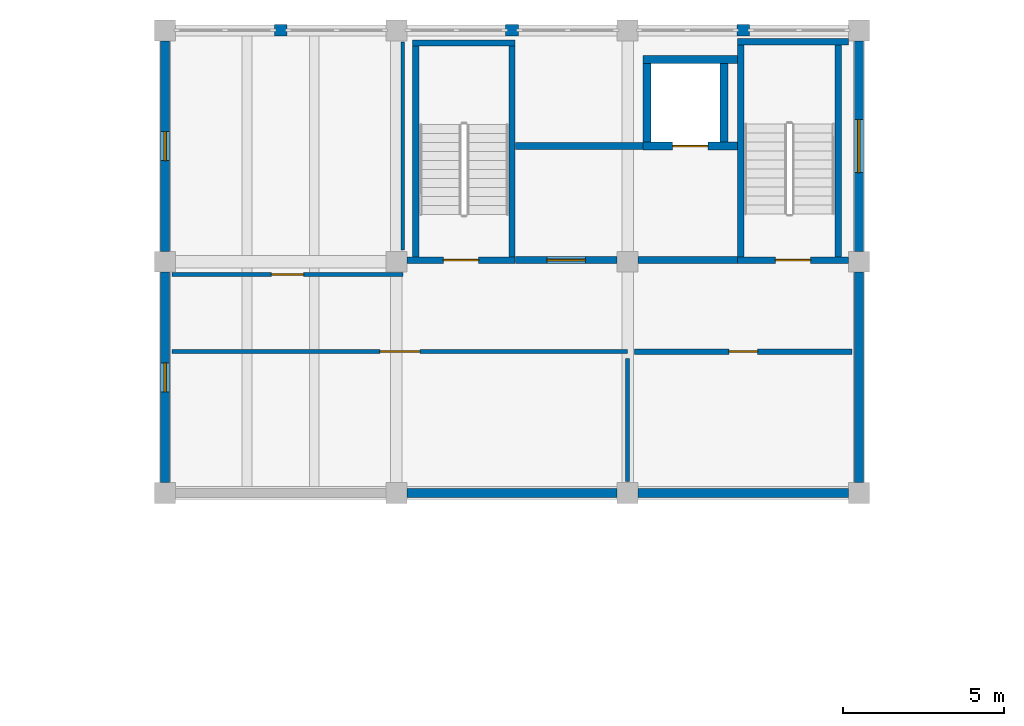
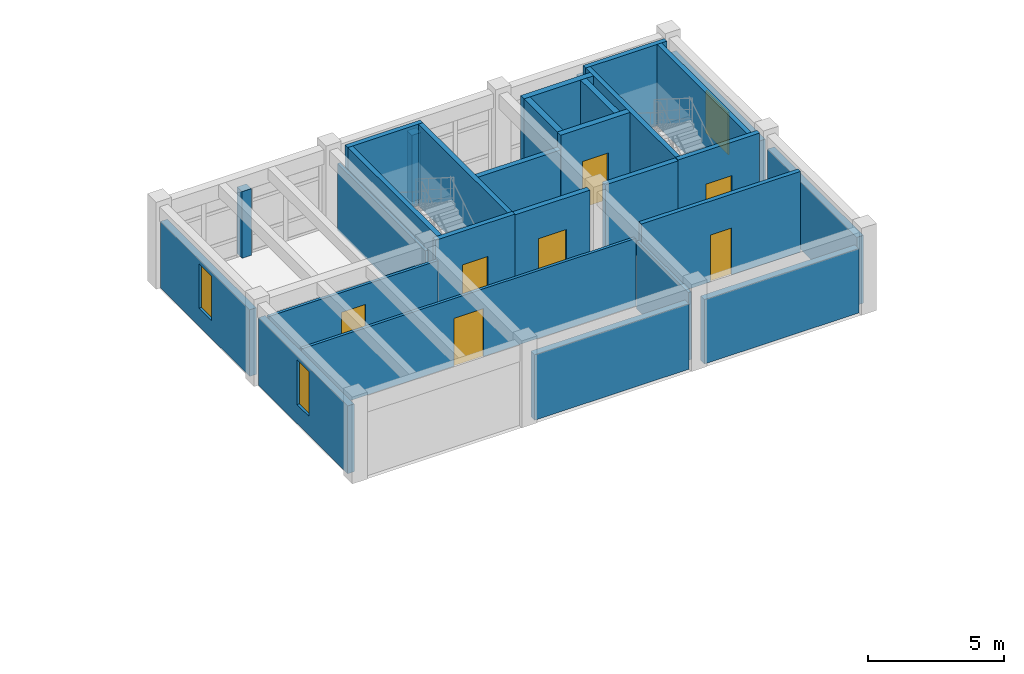
# One storey, part 7 of 13: 29 walls, 7 doors, 3 windows, 10 openings.
"""IFC4 building model written with IfcOpenShell, lengths in metres."""

from ifc_helpers import new_model, si_unit, direction, frame, frame_2d, origin, place, context, subcontext, project, spatial, rectangle, extrude, material, layer, layer_set, type_object, element, fill, save


model = new_model("IFC4")

# Units and contexts
model_context = context("Model", 3, precision=1e-05, world=origin(), true_north=direction((0.0, 1.0)))
body_context = subcontext(model_context, "Body", "Model", "MODEL_VIEW")
ifc_project = project(units=[si_unit("LENGTHUNIT", "METRE"), si_unit("AREAUNIT", "SQUARE_METRE"), si_unit("VOLUMEUNIT", "CUBIC_METRE"), si_unit("PLANEANGLEUNIT", "RADIAN"), si_unit("MASSUNIT", "GRAM", prefix="KILO")], contexts=[model_context])

# Site, building, storey
site_placement = place(None, origin())
site = spatial("IfcSite", under=ifc_project, at=site_placement, CompositionType="ELEMENT")
building_placement = place(site_placement, origin())
building = spatial("IfcBuilding", under=site, at=building_placement, Name="Koriwan Promenade Central Fire Station", CompositionType="ELEMENT")
storey_placement = place(building_placement, frame((0.0, 0.0, 13.5)))
storey = spatial("IfcBuildingStorey", under=building, at=storey_placement, Name="L03", CompositionType="ELEMENT", Elevation=13.5)

# Walls
ifc_material_1 = material(Name="Natural sillar sandstone ashlar", Category="masonry")
ifc_layer_1 = layer(ifc_material_1, 0.360107421875, Name="Natural sillar sandstone ashlar")
ifc_layer_set_1 = layer_set([ifc_layer_1], Name="Natural sillar sandstone ashlar")
wall_type_1 = type_object("IfcWallType", Name="ExtWall_SillarBase_360", PredefinedType="SOLIDWALL", material=ifc_layer_set_1)
for number, where, z_axis, x_axis, name in (
    (1, (97.39990234375, 115.199951171875, 0.0), (0.0, 0.0, 1.0), (-1.0, 0.0, 0.0), "V2 L03 sillar facade mullion pier 83"),
    (2, (90.199951171875, 115.199951171875, 0.0), (0.0, 0.0, 1.0), (-1.0, 0.0, 0.0), "V2 L03 sillar facade mullion pier 84"),
    (3, (83.0, 115.199951171875, 0.0), (0.0, 0.0, 1.0), (-1.0, 0.0, 0.0), "V2 L03 sillar facade mullion pier 85"),
):
    element("IfcWall", number, at=place(storey_placement, frame(where, z_axis=z_axis, x_axis=x_axis)), inside=storey, type_object=wall_type_1, Name=name, PredefinedType="SOLIDWALL", context=body_context, shape_type="SweptSolid", body=[
        extrude(rectangle(XDim=0.39990234375, YDim=0.360107421875, at=frame_2d((0.199951171875, 0.0))), origin(), (0.0, 0.0, 1.0), 2.989990234375),
    ])
ifc_material_2 = material(Name="Precast concrete C40/50", Category="concrete")
ifc_layer_2 = layer(ifc_material_2, 0.280029296875, Name="Precast concrete C40/50")
ifc_layer_set_2 = layer_set([ifc_layer_2], Name="Precast concrete C40/50")
wall_type_2 = type_object("IfcWallType", Name="ExtWall_Terracotta_280", PredefinedType="ELEMENTEDWALL", material=ifc_layer_set_2)
wall_1_placement = place(storey_placement, frame((100.800048828125, 101.125, 0.0), z_axis=(0.0, 0.0, 1.0), x_axis=(0.0, 1.0, 0.0)))
element("IfcWall", 4, at=wall_1_placement, inside=storey, type_object=wall_type_2, Name="V2 L03 exterior wall 81", PredefinedType="ELEMENTEDWALL", context=body_context, shape_type="SweptSolid", body=[
    extrude(rectangle(XDim=6.550048828125, YDim=0.280029296875, at=frame_2d((3.27490234375, 0.0))), origin(), (0.0, 0.0, 1.0), 3.0400390625),
])

# Wall, opening, window
wall_2_placement = place(storey_placement, frame((100.800048828125, 108.324951171875, 0.0), z_axis=(0.0, 0.0, 1.0), x_axis=(0.0, 1.0, 0.0)))
wall_2 = element("IfcWall", 5, at=wall_2_placement, inside=storey, type_object=wall_type_2, Name="V2 L03 exterior wall 82", PredefinedType="ELEMENTEDWALL", context=body_context, shape_type="SweptSolid", body=[
    extrude(rectangle(XDim=6.550048828125, YDim=0.280029296875, at=frame_2d((3.27490234375, 0.0))), origin(), (0.0, 0.0, 1.0), 2.989990234375),
])
opening_1_placement = place(wall_2_placement, frame((2.449951171875, 0.0, 0.85009765625)))
opening_1 = element("IfcOpeningElement", 6, at=opening_1_placement, cuts=wall_2, Name="Opening W-15", PredefinedType="OPENING", context=body_context, shape_type="SweptSolid", body=[
    extrude(rectangle(XDim=1.64990234375, YDim=1.89990234375, at=frame_2d((0.824951171875, 0.949951171875))), frame((0.0, 0.15185546875, 0.0), z_axis=(0.0, -1.0, 0.0), x_axis=(1.0, 0.0, 0.0)), (0.0, 0.0, 1.0), 0.303955078125),
])
ifc_material_3 = material(Name="Solar-control low-E laminated double glazing", Category="glass")
window_type_1 = type_object("IfcWindowType", Name="Win_Office_1650x1900", PartitioningType="SINGLE_PANEL", PredefinedType="WINDOW", material=ifc_material_3)
window_1_placement = place(opening_1_placement, origin())
window_1 = element("IfcWindow", 7, at=window_1_placement, inside=storey, type_object=window_type_1, Name="V2 L03 window 0037", OverallHeight=1.89990234375, OverallWidth=1.64990234375, PartitioningType="SINGLE_PANEL", PredefinedType="WINDOW", context=body_context, shape_type="SweptSolid", body=[
    extrude(rectangle(XDim=1.64990234375, YDim=1.89990234375, at=frame_2d((0.824951171875, 0.949951171875))), frame((0.0, 0.030029296875, 0.0), z_axis=(0.0, -1.0, 0.0), x_axis=(1.0, 0.0, 0.0)), (0.0, 0.0, 1.0), 0.06005859375),
])
fill(opening_1, window_1)

wall_3_placement = place(storey_placement, frame((79.199951171875, 114.875, 0.0), z_axis=(0.0, 0.0, 1.0), x_axis=(0.0, -1.0, 0.0)))
wall_3 = element("IfcWall", 8, at=wall_3_placement, inside=storey, type_object=wall_type_2, Name="V2 L03 exterior wall 86", PredefinedType="ELEMENTEDWALL", context=body_context, shape_type="SweptSolid", body=[
    extrude(rectangle(XDim=6.550048828125, YDim=0.280029296875, at=frame_2d((3.27490234375, 0.0))), origin(), (0.0, 0.0, 1.0), 2.989990234375),
])
opening_2_placement = place(wall_3_placement, frame((2.824951171875, 0.0, 0.800048828125)))
opening_2 = element("IfcOpeningElement", 9, at=opening_2_placement, cuts=wall_3, Name="Opening W-04", PredefinedType="OPENING", context=body_context, shape_type="SweptSolid", body=[
    extrude(rectangle(XDim=0.89990234375, YDim=2.0, at=frame_2d((0.449951171875, 1.0))), frame((0.0, 0.15185546875, 0.0), z_axis=(0.0, -1.0, 0.0), x_axis=(1.0, 0.0, 0.0)), (0.0, 0.0, 1.0), 0.303955078125),
])
window_type_2 = type_object("IfcWindowType", Name="Win_HQ_900x2000", PartitioningType="SINGLE_PANEL", PredefinedType="WINDOW", material=ifc_material_3)
window_2_placement = place(opening_2_placement, origin())
window_2 = element("IfcWindow", 10, at=window_2_placement, inside=storey, type_object=window_type_2, Name="V2 L03 window 0038", OverallHeight=2.0, OverallWidth=0.89990234375, PartitioningType="SINGLE_PANEL", PredefinedType="WINDOW", context=body_context, shape_type="SweptSolid", body=[
    extrude(rectangle(XDim=0.89990234375, YDim=2.0, at=frame_2d((0.449951171875, 1.0))), frame((0.0, 0.030029296875, 0.0), z_axis=(0.0, -1.0, 0.0), x_axis=(1.0, 0.0, 0.0)), (0.0, 0.0, 1.0), 0.06005859375),
])
fill(opening_2, window_2)

wall_4_placement = place(storey_placement, frame((79.199951171875, 107.675048828125, 0.0), z_axis=(0.0, 0.0, 1.0), x_axis=(0.0, -1.0, 0.0)))
wall_4 = element("IfcWall", 11, at=wall_4_placement, inside=storey, type_object=wall_type_2, Name="V2 L03 exterior wall 87", PredefinedType="ELEMENTEDWALL", context=body_context, shape_type="SweptSolid", body=[
    extrude(rectangle(XDim=6.550048828125, YDim=0.280029296875, at=frame_2d((3.27490234375, 0.0))), origin(), (0.0, 0.0, 1.0), 3.0400390625),
])
opening_3_placement = place(wall_4_placement, frame((2.824951171875, 0.0, 0.85009765625)))
opening_3 = element("IfcOpeningElement", 12, at=opening_3_placement, cuts=wall_4, Name="Opening W-04", PredefinedType="OPENING", context=body_context, shape_type="SweptSolid", body=[
    extrude(rectangle(XDim=0.89990234375, YDim=2.0, at=frame_2d((0.449951171875, 1.0))), frame((0.0, 0.15185546875, 0.0), z_axis=(0.0, -1.0, 0.0), x_axis=(1.0, 0.0, 0.0)), (0.0, 0.0, 1.0), 0.303955078125),
])
window_3_placement = place(opening_3_placement, origin())
window_3 = element("IfcWindow", 13, at=window_3_placement, inside=storey, type_object=window_type_2, Name="V2 L03 window 0039", OverallHeight=2.0, OverallWidth=0.89990234375, PartitioningType="SINGLE_PANEL", PredefinedType="WINDOW", context=body_context, shape_type="SweptSolid", body=[
    extrude(rectangle(XDim=0.89990234375, YDim=2.0, at=frame_2d((0.449951171875, 1.0))), frame((0.0, 0.030029296875, 0.0), z_axis=(0.0, -1.0, 0.0), x_axis=(1.0, 0.0, 0.0)), (0.0, 0.0, 1.0), 0.06005859375),
])
fill(opening_3, window_3)

# Walls
wall_5_placement = place(storey_placement, frame((86.72509765625, 100.800048828125, 0.0), z_axis=(0.0, 0.0, 1.0), x_axis=(1.0, 0.0, 0.0)))
element("IfcWall", 14, at=wall_5_placement, inside=storey, type_object=wall_type_2, Name="V2 L03 exterior wall 89", PredefinedType="ELEMENTEDWALL", context=body_context, shape_type="SweptSolid", body=[
    extrude(rectangle(XDim=6.5498046875, YDim=0.280029296875, at=frame_2d((3.27490234375, 0.0))), origin(), (0.0, 0.0, 1.0), 2.93994140625),
])
wall_6_placement = place(storey_placement, frame((93.925048828125, 100.800048828125, 0.0), z_axis=(0.0, 0.0, 1.0), x_axis=(1.0, 0.0, 0.0)))
element("IfcWall", 15, at=wall_6_placement, inside=storey, type_object=wall_type_2, Name="V2 L03 exterior wall 90", PredefinedType="ELEMENTEDWALL", context=body_context, shape_type="SweptSolid", body=[
    extrude(rectangle(XDim=6.550048828125, YDim=0.280029296875, at=frame_2d((3.27490234375, 0.0))), origin(), (0.0, 0.0, 1.0), 2.889892578125),
])

# Wall, opening, door
ifc_material_4 = material(Name="Gypsum board acoustic stud partition", Category="gypsum")
ifc_layer_3 = layer(ifc_material_4, 0.1201171875, Name="Gypsum board acoustic stud partition")
ifc_layer_set_3 = layer_set([ifc_layer_3], Name="Gypsum board acoustic stud partition")
wall_type_3 = type_object("IfcWallType", Name="IntWall_Drywall_120", PredefinedType="PARTITIONING", material=ifc_layer_set_3)
wall_7_placement = place(storey_placement, frame((79.419921875, 107.60009765625, 0.0), z_axis=(0.0, 0.0, 1.0), x_axis=(1.0, 0.0, 0.0)))
wall_7 = element("IfcWall", 16, at=wall_7_placement, inside=storey, type_object=wall_type_3, Name="Compartment Flashover Observation Room partition S", PredefinedType="PARTITIONING", context=body_context, shape_type="SweptSolid", body=[
    extrude(rectangle(XDim=7.18017578125, YDim=0.1201171875, at=frame_2d((3.590087890625, 0.0))), origin(), (0.0, 0.0, 1.0), 3.0380859375),
])
opening_4_placement = place(wall_7_placement, frame((3.090087890625, 0.0, 0.0)))
opening_4 = element("IfcOpeningElement", 17, at=opening_4_placement, cuts=wall_7, Name="Opening D-137", PredefinedType="OPENING", context=body_context, shape_type="SweptSolid", body=[
    extrude(rectangle(XDim=1.0, YDim=2.14990234375, at=frame_2d((0.5, 1.074951171875))), frame((0.0, 0.072021484375, 0.0), z_axis=(0.0, -1.0, 0.0), x_axis=(1.0, 0.0, 0.0)), (0.0, 0.0, 1.0), 0.14404296875),
])
ifc_material_5 = material(Name="Hardwood veneer solid-core timber", Category="wood")
door_type_1 = type_object("IfcDoorType", Name="RoomDoor_Office_1000x2150", OperationType="NOTDEFINED", PredefinedType="DOOR", material=ifc_material_5)
door_1_placement = place(opening_4_placement, origin())
door_1 = element("IfcDoor", 18, at=door_1_placement, inside=storey, type_object=door_type_1, Name="Compartment Flashover Observation Room Door D-137", OperationType="SINGLE_SWING_LEFT", OverallHeight=2.14990234375, OverallWidth=1.0, PredefinedType="DOOR", context=body_context, shape_type="SweptSolid", body=[
    extrude(rectangle(XDim=1.0, YDim=2.14990234375, at=frame_2d((0.5, 1.074951171875))), frame((0.0, 0.02490234375, 0.0), z_axis=(0.0, -1.0, 0.0), x_axis=(1.0, 0.0, 0.0)), (0.0, 0.0, 1.0), 0.050048828125),
])
fill(opening_4, door_1)

# Wall
wall_8_placement = place(storey_placement, frame((86.60009765625, 108.364990234375, 0.0), z_axis=(0.0, 0.0, 1.0), x_axis=(0.0, 1.0, 0.0)))
element("IfcWall", 19, at=wall_8_placement, inside=storey, type_object=wall_type_3, Name="Compartment Flashover Observation Room partition E", PredefinedType="PARTITIONING", context=body_context, shape_type="SweptSolid", body=[
    extrude(rectangle(XDim=6.469970703125, YDim=0.1201171875, at=frame_2d((3.23486328125, 0.0))), origin(), (0.0, 0.0, 1.0), 2.988037109375),
])

# Wall, opening, door
wall_9_placement = place(storey_placement, frame((79.419921875, 105.199951171875, 0.0), z_axis=(0.0, 0.0, 1.0), x_axis=(1.0, 0.0, 0.0)))
wall_9 = element("IfcWall", 20, at=wall_9_placement, inside=storey, type_object=wall_type_3, Name="Thermal Camera Calibration Lab partition N", PredefinedType="PARTITIONING", context=body_context, shape_type="SweptSolid", body=[
    extrude(rectangle(XDim=14.18017578125, YDim=0.1201171875, at=frame_2d((7.090087890625, 0.0))), origin(), (0.0, 0.0, 1.0), 3.0380859375),
])
opening_5_placement = place(wall_9_placement, frame((6.465087890625, 0.0, 0.0)))
opening_5 = element("IfcOpeningElement", 21, at=opening_5_placement, cuts=wall_9, Name="Opening D-138", PredefinedType="OPENING", context=body_context, shape_type="SweptSolid", body=[
    extrude(rectangle(XDim=1.25, YDim=2.14990234375, at=frame_2d((0.625, 1.074951171875))), frame((0.0, 0.072021484375, 0.0), z_axis=(0.0, -1.0, 0.0), x_axis=(1.0, 0.0, 0.0)), (0.0, 0.0, 1.0), 0.14404296875),
])
door_type_2 = type_object("IfcDoorType", Name="RoomDoor_Lab_1250x2150", OperationType="NOTDEFINED", PredefinedType="DOOR", material=ifc_material_5)
door_2_placement = place(opening_5_placement, origin())
door_2 = element("IfcDoor", 22, at=door_2_placement, inside=storey, type_object=door_type_2, Name="Thermal Camera Calibration Lab Door D-138", OperationType="SINGLE_SWING_RIGHT", OverallHeight=2.14990234375, OverallWidth=1.25, PredefinedType="DOOR", context=body_context, shape_type="SweptSolid", body=[
    extrude(rectangle(XDim=1.25, YDim=2.14990234375, at=frame_2d((0.625, 1.074951171875))), frame((0.0, 0.02490234375, 0.0), z_axis=(0.0, -1.0, 0.0), x_axis=(1.0, 0.0, 0.0)), (0.0, 0.0, 1.0), 0.050048828125),
])
fill(opening_5, door_2)

# Wall
wall_10_placement = place(storey_placement, frame((93.60009765625, 101.1650390625, 0.0), z_axis=(0.0, 0.0, 1.0), x_axis=(0.0, 1.0, 0.0)))
element("IfcWall", 23, at=wall_10_placement, inside=storey, type_object=wall_type_3, Name="Thermal Camera Calibration Lab partition E", PredefinedType="PARTITIONING", context=body_context, shape_type="SweptSolid", body=[
    extrude(rectangle(XDim=3.81494140625, YDim=0.1201171875, at=frame_2d((1.907470703125, 0.0))), origin(), (0.0, 0.0, 1.0), 3.0380859375),
])

# Wall, opening, door
ifc_material_6 = material(Name="Concrete C35/45 compartment wall", Category="concrete")
ifc_layer_4 = layer(ifc_material_6, 0.219970703125, Name="Concrete C35/45 compartment wall")
ifc_layer_set_4 = layer_set([ifc_layer_4], Name="Concrete C35/45 compartment wall")
wall_type_4 = type_object("IfcWallType", Name="IntWall_Plant_220", PredefinedType="STANDARD", material=ifc_layer_set_4)
wall_11_placement = place(storey_placement, frame((90.10205078125, 108.050048828125, 0.0), z_axis=(0.0, 0.0, 1.0), x_axis=(1.0, 0.0, 0.0)))
wall_11 = element("IfcWall", 24, at=wall_11_placement, inside=storey, type_object=wall_type_4, Name="Drill Tower Firefighting Lift Lobby L03 partition S", PredefinedType="STANDARD", context=body_context, shape_type="SweptSolid", body=[
    extrude(rectangle(XDim=3.1708984375, YDim=0.219970703125, at=frame_2d((1.58544921875, 0.0))), origin(), (0.0, 0.0, 1.0), 3.6201171875),
])
opening_6_placement = place(wall_11_placement, frame((0.985595703125, 0.0, 0.0)))
opening_6 = element("IfcOpeningElement", 25, at=opening_6_placement, cuts=wall_11, Name="Opening D-136", PredefinedType="OPENING", context=body_context, shape_type="SweptSolid", body=[
    extrude(rectangle(XDim=1.199951171875, YDim=2.199951171875, at=frame_2d((0.60009765625, 1.10009765625))), frame((0.0, 0.1220703125, 0.0), z_axis=(0.0, -1.0, 0.0), x_axis=(1.0, 0.0, 0.0)), (0.0, 0.0, 1.0), 0.243896484375),
])
ifc_material_7 = material(Name="Painted galvanized fire-door steel", Category="steel")
door_type_3 = type_object("IfcDoorType", Name="FireDoor_Lobby_1200x2200", OperationType="NOTDEFINED", PredefinedType="DOOR", material=ifc_material_7)
door_3_placement = place(opening_6_placement, origin())
door_3 = element("IfcDoor", 26, at=door_3_placement, inside=storey, type_object=door_type_3, Name="Drill Tower Firefighting Lift Lobby L03 Door D-136", OperationType="SINGLE_SWING_RIGHT", OverallHeight=2.199951171875, OverallWidth=1.199951171875, PredefinedType="DOOR", context=body_context, shape_type="SweptSolid", body=[
    extrude(rectangle(XDim=1.199951171875, YDim=2.199951171875, at=frame_2d((0.60009765625, 1.10009765625))), frame((0.0, 0.02490234375, 0.0), z_axis=(0.0, -1.0, 0.0), x_axis=(1.0, 0.0, 0.0)), (0.0, 0.0, 1.0), 0.050048828125),
])
fill(opening_6, door_3)

# Walls
wall_12_placement = place(storey_placement, frame((93.927001953125, 108.050048828125, 0.0), z_axis=(0.0, 0.0, 1.0), x_axis=(1.0, 0.0, 0.0)))
element("IfcWall", 27, at=wall_12_placement, inside=storey, type_object=wall_type_4, Name="Drill Tower Firefighting Lift Lobby L03 partition S", PredefinedType="STANDARD", context=body_context, shape_type="SweptSolid", body=[
    extrude(rectangle(XDim=3.091064453125, YDim=0.219970703125, at=frame_2d((1.54541015625, 0.0))), origin(), (0.0, 0.0, 1.0), 3.6201171875),
])
wall_13_placement = place(storey_placement, frame((90.10205078125, 111.60009765625, 0.0), z_axis=(0.0, 0.0, 1.0), x_axis=(1.0, 0.0, 0.0)))
element("IfcWall", 28, at=wall_13_placement, inside=storey, type_object=wall_type_4, Name="Drill Tower Firefighting Lift Lobby L03 partition N", PredefinedType="STANDARD", context=body_context, shape_type="SweptSolid", body=[
    extrude(rectangle(XDim=3.970947265625, YDim=0.219970703125, at=frame_2d((1.9853515625, 0.0))), origin(), (0.0, 0.0, 1.0), 2.988037109375),
])

# Wall, opening, door
ifc_material_8 = material(Name="Moisture-resistant sanitary chase wall", Category="gypsum")
ifc_layer_5 = layer(ifc_material_8, 0.179931640625, Name="Moisture-resistant sanitary chase wall")
ifc_layer_set_5 = layer_set([ifc_layer_5], Name="Moisture-resistant sanitary chase wall")
wall_type_5 = type_object("IfcWallType", Name="IntWall_Plumbing_180", PredefinedType="PLUMBINGWALL", material=ifc_layer_set_5)
wall_14_placement = place(storey_placement, frame((93.820068359375, 105.199951171875, 0.0), z_axis=(0.0, 0.0, 1.0), x_axis=(1.0, 0.0, 0.0)))
wall_14 = element("IfcWall", 29, at=wall_14_placement, inside=storey, type_object=wall_type_5, Name="Drill L03 Accessible WC partition N", PredefinedType="PLUMBINGWALL", context=body_context, shape_type="SweptSolid", body=[
    extrude(rectangle(XDim=6.760009765625, YDim=0.179931640625, at=frame_2d((3.3798828125, 0.0))), origin(), (0.0, 0.0, 1.0), 3.6201171875),
])
opening_7_placement = place(wall_14_placement, frame((2.929931640625, 0.0, 0.0)))
opening_7 = element("IfcOpeningElement", 30, at=opening_7_placement, cuts=wall_14, Name="Opening D-139", PredefinedType="OPENING", context=body_context, shape_type="SweptSolid", body=[
    extrude(rectangle(XDim=0.89990234375, YDim=2.10009765625, at=frame_2d((0.449951171875, 1.050048828125))), frame((0.0, 0.10205078125, 0.0), z_axis=(0.0, -1.0, 0.0), x_axis=(1.0, 0.0, 0.0)), (0.0, 0.0, 1.0), 0.203857421875),
])
ifc_material_9 = material(Name="High-pressure laminate moisture-resistant core", Category="wood")
door_type_4 = type_object("IfcDoorType", Name="RoomDoor_WC_900x2100", OperationType="NOTDEFINED", PredefinedType="DOOR", material=ifc_material_9)
door_4_placement = place(opening_7_placement, origin())
door_4 = element("IfcDoor", 31, at=door_4_placement, inside=storey, type_object=door_type_4, Name="Drill L03 Accessible WC Door D-139", OperationType="SINGLE_SWING_LEFT", OverallHeight=2.10009765625, OverallWidth=0.89990234375, PredefinedType="DOOR", context=body_context, shape_type="SweptSolid", body=[
    extrude(rectangle(XDim=0.89990234375, YDim=2.10009765625, at=frame_2d((0.449951171875, 1.050048828125))), frame((0.0, 0.02490234375, 0.0), z_axis=(0.0, -1.0, 0.0), x_axis=(1.0, 0.0, 0.0)), (0.0, 0.0, 1.0), 0.050048828125),
])
fill(opening_7, door_4)

ifc_material_10 = material(Name="Concrete C40/50", Category="concrete")
ifc_layer_6 = layer(ifc_material_10, 0.199951171875, Name="Concrete C40/50")
ifc_layer_set_6 = layer_set([ifc_layer_6], Name="Concrete C40/50")
wall_type_6 = type_object("IfcWallType", Name="ShearWall_200", PredefinedType="SHEAR", material=ifc_layer_set_6)
wall_15_placement = place(storey_placement, frame((97.02001953125, 108.050048828125, 0.0), z_axis=(0.0, 0.0, 1.0), x_axis=(1.0, 0.0, 0.0)))
wall_15 = element("IfcWall", 32, at=wall_15_placement, inside=storey, type_object=wall_type_6, Name="ST04 L03 structural stair wall S", PredefinedType="SHEAR", context=body_context, shape_type="SweptSolid", body=[
    extrude(rectangle(XDim=3.455078125, YDim=0.199951171875, at=frame_2d((1.7275390625, 0.0))), origin(), (0.0, 0.0, 1.0), 3.64990234375),
])
opening_8_placement = place(wall_15_placement, frame((1.177490234375, 0.0, 0.0)))
opening_8 = element("IfcOpeningElement", 33, at=opening_8_placement, cuts=wall_15, Name="Opening SD-011", PredefinedType="OPENING", context=body_context, shape_type="SweptSolid", body=[
    extrude(rectangle(XDim=1.10009765625, YDim=2.14990234375, at=frame_2d((0.550048828125, 1.074951171875))), frame((0.0, 0.11181640625, 0.0), z_axis=(0.0, -1.0, 0.0), x_axis=(1.0, 0.0, 0.0)), (0.0, 0.0, 1.0), 0.223876953125),
])
door_type_5 = type_object("IfcDoorType", Name="FireDoor_Stair_1100x2150", OperationType="NOTDEFINED", PredefinedType="DOOR", material=ifc_material_7)
door_5_placement = place(opening_8_placement, origin())
door_5 = element("IfcDoor", 34, at=door_5_placement, inside=storey, type_object=door_type_5, Name="Protected Stair ST04 Fire Door SD-011", OperationType="SINGLE_SWING_RIGHT", OverallHeight=2.14990234375, OverallWidth=1.10009765625, PredefinedType="DOOR", context=body_context, shape_type="SweptSolid", body=[
    extrude(rectangle(XDim=1.10009765625, YDim=2.14990234375, at=frame_2d((0.550048828125, 1.074951171875))), frame((0.0, 0.02490234375, 0.0), z_axis=(0.0, -1.0, 0.0), x_axis=(1.0, 0.0, 0.0)), (0.0, 0.0, 1.0), 0.050048828125),
])
fill(opening_8, door_5)

# Walls
wall_16_placement = place(storey_placement, frame((97.02001953125, 114.85009765625, 0.0), z_axis=(0.0, 0.0, 1.0), x_axis=(1.0, 0.0, 0.0)))
element("IfcWall", 35, at=wall_16_placement, inside=storey, type_object=wall_type_6, Name="ST04 L03 structural stair wall N", PredefinedType="SHEAR", context=body_context, shape_type="SweptSolid", body=[
    extrude(rectangle(XDim=3.455078125, YDim=0.199951171875, at=frame_2d((1.7275390625, 0.0))), origin(), (0.0, 0.0, 1.0), 3.64990234375),
])
for number, where, z_axis, x_axis, name in (
    (36, (97.1201171875, 108.14990234375, 0.0), (0.0, 0.0, 1.0), (0.0, 1.0, 0.0), "ST04 L03 structural stair wall W"),
    (37, (100.14990234375, 108.14990234375, 0.0), (0.0, 0.0, 1.0), (0.0, 1.0, 0.0), "ST04 L03 structural stair wall E"),
):
    element("IfcWall", number, at=place(storey_placement, frame(where, z_axis=z_axis, x_axis=x_axis)), inside=storey, type_object=wall_type_6, Name=name, PredefinedType="SHEAR", context=body_context, shape_type="SweptSolid", body=[
        extrude(rectangle(XDim=6.60009765625, YDim=0.199951171875, at=frame_2d((3.300048828125, 0.0))), origin(), (0.0, 0.0, 1.0), 3.64990234375),
    ])

# Wall, opening, door
wall_17_placement = place(storey_placement, frame((86.72509765625, 108.050048828125, 0.0), z_axis=(0.0, 0.0, 1.0), x_axis=(1.0, 0.0, 0.0)))
wall_17 = element("IfcWall", 38, at=wall_17_placement, inside=storey, type_object=wall_type_6, Name="ST09 L03 structural stair wall S", PredefinedType="SHEAR", context=body_context, shape_type="SweptSolid", body=[
    extrude(rectangle(XDim=3.375, YDim=0.199951171875, at=frame_2d((1.6875, 0.0))), origin(), (0.0, 0.0, 1.0), 3.64990234375),
])
opening_9_placement = place(wall_17_placement, frame((1.137451171875, 0.0, 0.0)))
opening_9 = element("IfcOpeningElement", 39, at=opening_9_placement, cuts=wall_17, Name="Opening SD-017", PredefinedType="OPENING", context=body_context, shape_type="SweptSolid", body=[
    extrude(rectangle(XDim=1.10009765625, YDim=2.14990234375, at=frame_2d((0.550048828125, 1.074951171875))), frame((0.0, 0.11181640625, 0.0), z_axis=(0.0, -1.0, 0.0), x_axis=(1.0, 0.0, 0.0)), (0.0, 0.0, 1.0), 0.223876953125),
])
door_6_placement = place(opening_9_placement, origin())
door_6 = element("IfcDoor", 40, at=door_6_placement, inside=storey, type_object=door_type_5, Name="Protected Stair ST09 Fire Door SD-017", OperationType="SINGLE_SWING_RIGHT", OverallHeight=2.14990234375, OverallWidth=1.10009765625, PredefinedType="DOOR", context=body_context, shape_type="SweptSolid", body=[
    extrude(rectangle(XDim=1.10009765625, YDim=2.14990234375, at=frame_2d((0.550048828125, 1.074951171875))), frame((0.0, 0.02490234375, 0.0), z_axis=(0.0, -1.0, 0.0), x_axis=(1.0, 0.0, 0.0)), (0.0, 0.0, 1.0), 0.050048828125),
])
fill(opening_9, door_6)

# Walls
wall_18_placement = place(storey_placement, frame((86.909912109375, 114.81005859375, 0.0), z_axis=(0.0, 0.0, 1.0), x_axis=(1.0, 0.0, 0.0)))
element("IfcWall", 41, at=wall_18_placement, inside=storey, type_object=wall_type_6, Name="ST09 L03 structural stair wall N", PredefinedType="SHEAR", context=body_context, shape_type="SweptSolid", body=[
    extrude(rectangle(XDim=3.190185546875, YDim=0.199951171875, at=frame_2d((1.59521484375, 0.0))), origin(), (0.0, 0.0, 1.0), 3.64990234375),
])
for number, where, z_axis, x_axis, name in (
    (42, (87.010009765625, 108.14990234375, 0.0), (0.0, 0.0, 1.0), (0.0, 1.0, 0.0), "ST09 L03 structural stair wall W"),
    (43, (90.0, 108.14990234375, 0.0), (0.0, 0.0, 1.0), (0.0, 1.0, 0.0), "ST09 L03 structural stair wall E"),
):
    element("IfcWall", number, at=place(storey_placement, frame(where, z_axis=z_axis, x_axis=x_axis)), inside=storey, type_object=wall_type_6, Name=name, PredefinedType="SHEAR", context=body_context, shape_type="SweptSolid", body=[
        extrude(rectangle(XDim=6.56005859375, YDim=0.199951171875, at=frame_2d((3.280029296875, 0.0))), origin(), (0.0, 0.0, 1.0), 3.64990234375),
    ])

# Wall, opening, door
ifc_layer_7 = layer(ifc_material_10, 0.25, Name="Concrete C40/50")
ifc_layer_set_7 = layer_set([ifc_layer_7], Name="Concrete C40/50")
wall_type_7 = type_object("IfcWallType", Name="ShearWall_250", PredefinedType="SHEAR", material=ifc_layer_set_7)
wall_19_placement = place(storey_placement, frame((94.074951171875, 111.60009765625, 0.0), z_axis=(0.0, 0.0, 1.0), x_axis=(1.0, 0.0, 0.0)))
wall_19 = element("IfcWall", 44, at=wall_19_placement, inside=storey, type_object=wall_type_7, Name="LF02 shaft wall S (L03)", PredefinedType="SHEAR", context=body_context, shape_type="SweptSolid", body=[
    extrude(rectangle(XDim=2.945068359375, YDim=0.25, at=frame_2d((1.47265625, 0.0))), origin(), (0.0, 0.0, 1.0), 3.64990234375),
])
opening_10_placement = place(wall_19_placement, frame((0.922607421875, 0.0, 0.0)))
opening_10 = element("IfcOpeningElement", 45, at=opening_10_placement, cuts=wall_19, Name="Opening LD-LF02-L03", PredefinedType="OPENING", context=body_context, shape_type="SweptSolid", body=[
    extrude(rectangle(XDim=1.10009765625, YDim=2.14990234375, at=frame_2d((0.550048828125, 1.074951171875))), frame((0.0, 0.136962890625, 0.0), z_axis=(0.0, -1.0, 0.0), x_axis=(1.0, 0.0, 0.0)), (0.0, 0.0, 1.0), 0.27392578125),
])
ifc_material_11 = material(Name="Stainless steel 316", Category="steel")
door_type_6 = type_object("IfcDoorType", Name="LiftDoor_Fire_1100x2150", OperationType="SLIDING_TO_LEFT", PredefinedType="DOOR", material=ifc_material_11)
door_7_placement = place(opening_10_placement, origin())
door_7 = element("IfcDoor", 46, at=door_7_placement, inside=storey, type_object=door_type_6, Name="Lift LF02 Sliding Landing Door LD-LF02-L03", OperationType="SLIDING_TO_LEFT", OverallHeight=2.14990234375, OverallWidth=1.10009765625, PredefinedType="DOOR", context=body_context, shape_type="SweptSolid", body=[
    extrude(rectangle(XDim=1.10009765625, YDim=2.14990234375, at=frame_2d((0.550048828125, 1.074951171875))), frame((0.0, 0.02490234375, 0.0), z_axis=(0.0, -1.0, 0.0), x_axis=(1.0, 0.0, 0.0)), (0.0, 0.0, 1.0), 0.050048828125),
])
fill(opening_10, door_7)

# Walls
wall_20_placement = place(storey_placement, frame((94.074951171875, 114.300048828125, 0.0), z_axis=(0.0, 0.0, 1.0), x_axis=(1.0, 0.0, 0.0)))
element("IfcWall", 47, at=wall_20_placement, inside=storey, type_object=wall_type_7, Name="LF02 shaft wall N (L03)", PredefinedType="SHEAR", context=body_context, shape_type="SweptSolid", body=[
    extrude(rectangle(XDim=2.945068359375, YDim=0.25, at=frame_2d((1.47265625, 0.0))), origin(), (0.0, 0.0, 1.0), 3.64990234375),
])
for number, where, z_axis, x_axis, name in (
    (48, (94.199951171875, 111.72509765625, 0.0), (0.0, 0.0, 1.0), (0.0, 1.0, 0.0), "LF02 shaft wall W (L03)"),
    (49, (96.60009765625, 111.72509765625, 0.0), (0.0, 0.0, 1.0), (0.0, 1.0, 0.0), "LF02 shaft wall E (L03)"),
):
    element("IfcWall", number, at=place(storey_placement, frame(where, z_axis=z_axis, x_axis=x_axis)), inside=storey, type_object=wall_type_7, Name=name, PredefinedType="SHEAR", context=body_context, shape_type="SweptSolid", body=[
        extrude(rectangle(XDim=2.449951171875, YDim=0.25, at=frame_2d((1.22509765625, 0.0))), origin(), (0.0, 0.0, 1.0), 3.64990234375),
    ])

save(model, "model.ifc")
